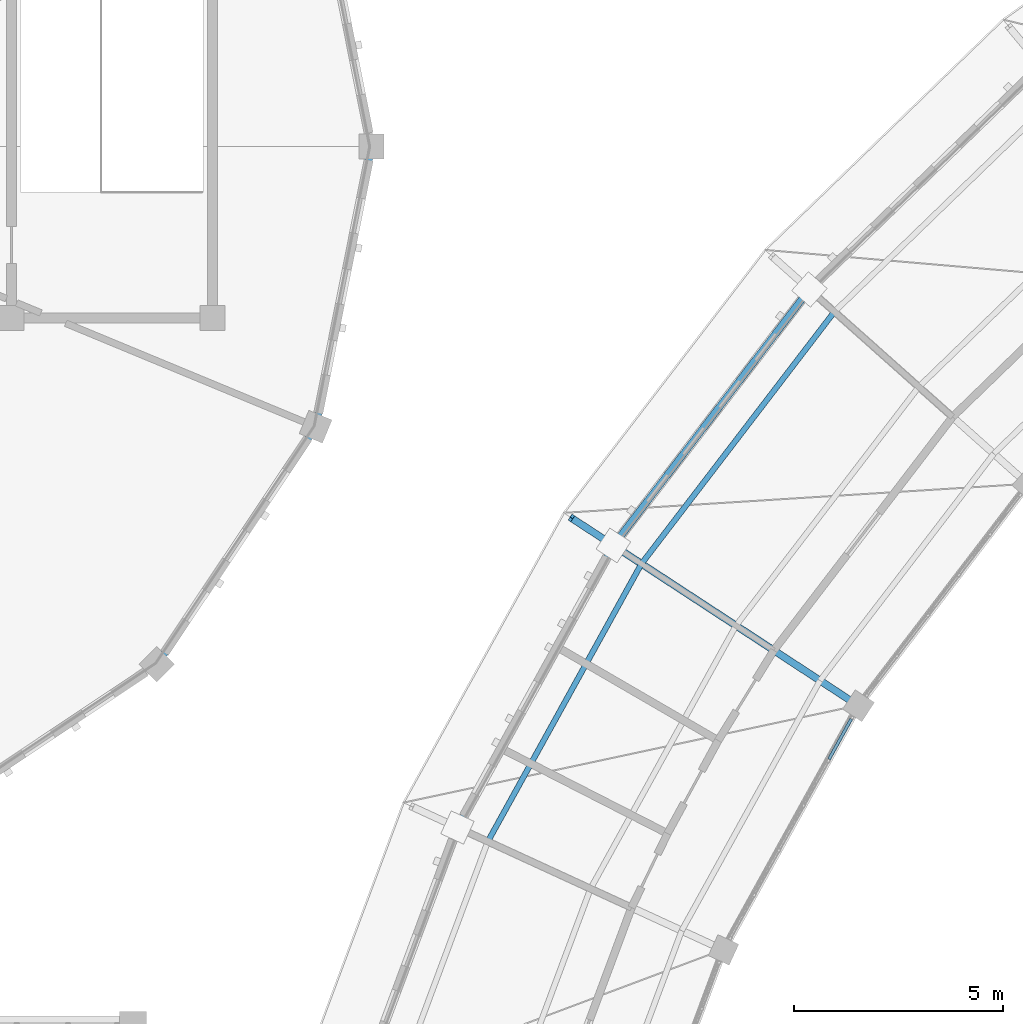
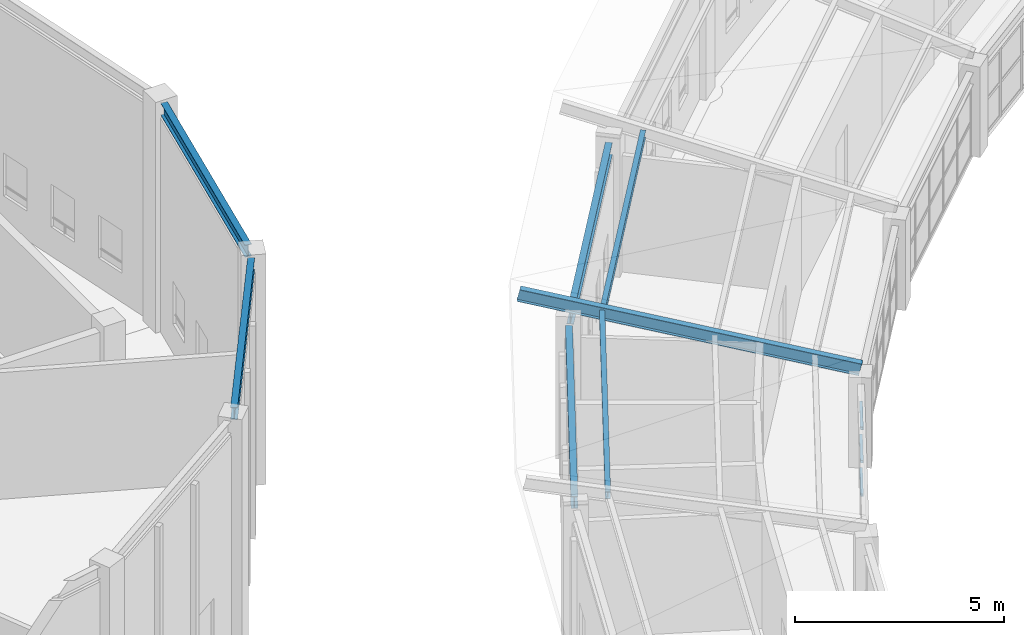
# One storey, part 69 of 149: 6 members, 4 beams, 1 element without a shape of its own.
"""IFC4 building model written with IfcOpenShell, lengths in metres."""

from ifc_helpers import new_model, si_unit, direction, frame, origin, origin_2d, place, context, subcontext, project, spatial, hollow_rectangle, i_section, extrude, material, material_profile, profile_set, type_object, element, aggregate, save


model = new_model("IFC4")

# Units and contexts
model_context = context("Model", 3, precision=1e-05, world=origin(), true_north=direction((0.0, 1.0)))
body_context = subcontext(model_context, "Body", "Model", "MODEL_VIEW")
ifc_project = project(units=[si_unit("LENGTHUNIT", "METRE"), si_unit("AREAUNIT", "SQUARE_METRE"), si_unit("VOLUMEUNIT", "CUBIC_METRE"), si_unit("PLANEANGLEUNIT", "RADIAN"), si_unit("MASSUNIT", "GRAM", prefix="KILO")], contexts=[model_context])

# Site, building, storey
site_placement = place(None, origin())
site = spatial("IfcSite", under=ifc_project, at=site_placement, CompositionType="ELEMENT")
building_placement = place(site_placement, origin())
building = spatial("IfcBuilding", under=site, at=building_placement, Name="Celadon Cloister-Ring School", CompositionType="ELEMENT")
storey_placement = place(building_placement, frame((0.0, 0.0, 12.5)))
storey = spatial("IfcBuildingStorey", under=building, at=storey_placement, Name="L03", CompositionType="ELEMENT", Elevation=12.5)

# Curtain wall, members
ifc_material_1 = material(Name="Aluminium EN AW-6063 T6", Category="aluminium")
curtain_wall_type = type_object("IfcCurtainWallType", Name="CW-02", PredefinedType="USERDEFINED", material=ifc_material_1)
curtain_wall_placement = place(storey_placement, origin())
curtain_wall = element("IfcCurtainWall", 1, at=curtain_wall_placement, inside=storey, type_object=curtain_wall_type, Name="Curtain Wall 0047", ObjectType="CURTAIN WALL", PredefinedType="USERDEFINED")
ifc_material_2 = material(Name="Aluminium EN AW-6063 T6", Category="aluminium")
ifc_material_profile_1 = material_profile(ifc_material_2, hollow_rectangle(XDim=0.074951171875, YDim=0.074951171875, WallThickness=0.00390625, at=origin_2d()), Name="RHS75X75X4")
ifc_profile_set_1 = profile_set([ifc_material_profile_1], Name="Aluminium EN AW-6063 T6")
member_type_1 = type_object("IfcMemberType", Name="CTM-03", PredefinedType="USERDEFINED", material=ifc_profile_set_1)
member_1_placement = place(storey_placement, frame((49.168212890625, 83.321044921875, 0.03759765625), z_axis=(-0.483703978858, -0.87523166124, 0.0), x_axis=(0.87523166124, -0.483703978858, 0.0)))
member_1 = element("IfcMember", 2, at=member_1_placement, type_object=member_type_1, Name="CW-02 transom 1.1", ObjectType="TRANSOM", PredefinedType="USERDEFINED", context=body_context, shape_type="SweptSolid", body=[
    extrude(hollow_rectangle(XDim=0.074951171875, YDim=0.074951171875, WallThickness=0.00390625, at=origin_2d()), origin(), (0.0, 0.0, 1.0), 1.101806640625),
])
member_2_placement = place(storey_placement, frame((49.168212890625, 83.321044921875, 1.010009765625), z_axis=(-0.483703978858, -0.87523166124, 0.0), x_axis=(0.87523166124, -0.483703978858, 0.0)))
member_2 = element("IfcMember", 3, at=member_2_placement, type_object=member_type_1, Name="CW-02 transom 1.2", ObjectType="TRANSOM", PredefinedType="USERDEFINED", context=body_context, shape_type="SweptSolid", body=[
    extrude(hollow_rectangle(XDim=0.074951171875, YDim=0.074951171875, WallThickness=0.00390625, at=origin_2d()), origin(), (0.0, 0.0, 1.0), 1.101806640625),
])
member_3_placement = place(storey_placement, frame((49.168212890625, 83.321044921875, 1.982421875), z_axis=(-0.483703978858, -0.87523166124, 0.0), x_axis=(0.87523166124, -0.483703978858, 0.0)))
member_3 = element("IfcMember", 4, at=member_3_placement, type_object=member_type_1, Name="CW-02 transom 1.3", ObjectType="TRANSOM", PredefinedType="USERDEFINED", context=body_context, shape_type="SweptSolid", body=[
    extrude(hollow_rectangle(XDim=0.074951171875, YDim=0.074951171875, WallThickness=0.00390625, at=origin_2d()), origin(), (0.0, 0.0, 1.0), 1.101806640625),
])
aggregate(curtain_wall, [member_1, member_2, member_3])

# Members
ifc_material_3 = material(Name="Structural steel S355JR", Category="steel")
ifc_material_profile_2 = material_profile(ifc_material_3, i_section(OverallWidth=0.133056640625, OverallDepth=0.20703125, WebThickness=0.005859375, FlangeThickness=0.00830078125, at=origin_2d()), Name="W200X27")
ifc_profile_set_2 = profile_set([ifc_material_profile_2], Name="Structural steel S355JR")
member_type_2 = type_object("IfcMemberType", Name="MP-04", PredefinedType="PURLIN", material=ifc_profile_set_2)
member_4_placement = place(storey_placement, frame((48.764892578125, 93.052001953125, 4.073974609375), z_axis=(-0.607870552684, -0.794036139719, 0.0), x_axis=(0.794036139719, -0.607870552684, 0.0)))
element("IfcMember", 5, at=member_4_placement, inside=storey, type_object=member_type_2, Name="Structural Member 0088", PredefinedType="PURLIN", context=body_context, shape_type="SweptSolid", body=[
    extrude(i_section(OverallWidth=0.133056640625, OverallDepth=0.20703125, WebThickness=0.005859375, FlangeThickness=0.00830078125, at=origin_2d()), origin(), (0.0, 0.0, 1.0), 7.585205078125),
])
member_5_placement = place(storey_placement, frame((44.154052734375, 87.029052734375, 4.073974609375), z_axis=(-0.484024152741, -0.875054638044, 0.0), x_axis=(0.875054638044, -0.484024152741, 0.0)))
element("IfcMember", 6, at=member_5_placement, inside=storey, type_object=member_type_2, Name="Structural Member 0093", PredefinedType="PURLIN", context=body_context, shape_type="SweptSolid", body=[
    extrude(i_section(OverallWidth=0.133056640625, OverallDepth=0.20703125, WebThickness=0.005859375, FlangeThickness=0.00830078125, at=origin_2d()), origin(), (0.0, 0.0, 1.0), 7.584716796875),
])
ifc_material_4 = material(Name="Structural steel S355JR", Category="steel")
ifc_material_profile_3 = material_profile(ifc_material_4, i_section(OverallWidth=0.1708984375, OverallDepth=0.35498046875, WebThickness=0.007080078125, FlangeThickness=0.01171875, at=origin_2d()), Name="W360X51")
ifc_profile_set_3 = profile_set([ifc_material_profile_3], Name="Structural steel S355JR")
member_type_3 = type_object("IfcMemberType", Name="MR-05", PredefinedType="RAFTER", material=ifc_profile_set_3)
member_6_placement = place(storey_placement, frame((49.342041015625, 83.635009765625, 2.72607421875), z_axis=(-0.816217790302, 0.533952272042, 0.220643354706), x_axis=(-0.547444279339, -0.836842136259, 0.0)))
element("IfcMember", 7, at=member_6_placement, inside=storey, type_object=member_type_3, Name="Structural Member 0008", PredefinedType="RAFTER", context=body_context, shape_type="SweptSolid", body=[
    extrude(i_section(OverallWidth=0.1708984375, OverallDepth=0.35498046875, WebThickness=0.007080078125, FlangeThickness=0.01171875, at=origin_2d()), origin(), (0.0, 0.0, 1.0), 8.4072265625),
])

# Beams
ifc_material_5 = material(Name="Structural steel S355JR", Category="steel")
ifc_material_profile_4 = material_profile(ifc_material_5, i_section(OverallWidth=0.1708984375, OverallDepth=0.35498046875, WebThickness=0.007080078125, FlangeThickness=0.01171875, at=origin_2d()), Name="W360X51")
ifc_profile_set_4 = profile_set([ifc_material_profile_4], Name="Structural steel S355JR")
beam_type = type_object("IfcBeamType", Name="SP-04", PredefinedType="SPANDREL", material=ifc_profile_set_4)
beam_1_placement = place(storey_placement, frame((48.0009765625, 93.365966796875, 3.722900390625), z_axis=(-0.607967976917, -0.793961547585, 0.0), x_axis=(0.793961547585, -0.607967976917, 0.0)))
element("IfcBeam", 8, at=beam_1_placement, inside=storey, type_object=beam_type, Name="Beam 0528", PredefinedType="SPANDREL", context=body_context, shape_type="SweptSolid", body=[
    extrude(i_section(OverallWidth=0.1708984375, OverallDepth=0.35498046875, WebThickness=0.007080078125, FlangeThickness=0.01171875, at=origin_2d()), origin(), (0.0, 0.0, 1.0), 7.155029296875),
])
beam_2_placement = place(storey_placement, frame((43.35107421875, 87.22607421875, 3.722900390625), z_axis=(-0.484030801816, -0.875050960169, 0.0), x_axis=(0.875050960169, -0.484030801816, 0.0)))
element("IfcBeam", 9, at=beam_2_placement, inside=storey, type_object=beam_type, Name="Beam 0530", PredefinedType="SPANDREL", context=body_context, shape_type="SweptSolid", body=[
    extrude(i_section(OverallWidth=0.1708984375, OverallDepth=0.35498046875, WebThickness=0.007080078125, FlangeThickness=0.01171875, at=origin_2d()), origin(), (0.0, 0.0, 1.0), 7.15283203125),
])
for number, where, z_axis, x_axis, name in (
    (10, (32.72705078125, 84.85498046875, 6.472900390625), (0.555660177561, 0.831409506244, 0.0), (-0.831409506244, 0.555660177561, 0.0), "Beam 0845"),
    (11, (36.422119140625, 90.572998046875, 6.472900390625), (0.194964206518, 0.980810357907, 0.0), (-0.980810357907, 0.194964206518, 0.0), "Beam 0848"),
):
    element("IfcBeam", number, at=place(storey_placement, frame(where, z_axis=z_axis, x_axis=x_axis)), inside=storey, type_object=beam_type, Name=name, PredefinedType="SPANDREL", context=body_context, shape_type="SweptSolid", body=[
        extrude(i_section(OverallWidth=0.1708984375, OverallDepth=0.35498046875, WebThickness=0.007080078125, FlangeThickness=0.01171875, at=origin_2d()), origin(), (0.0, 0.0, 1.0), 6.27734375),
    ])

save(model, "model.ifc")
